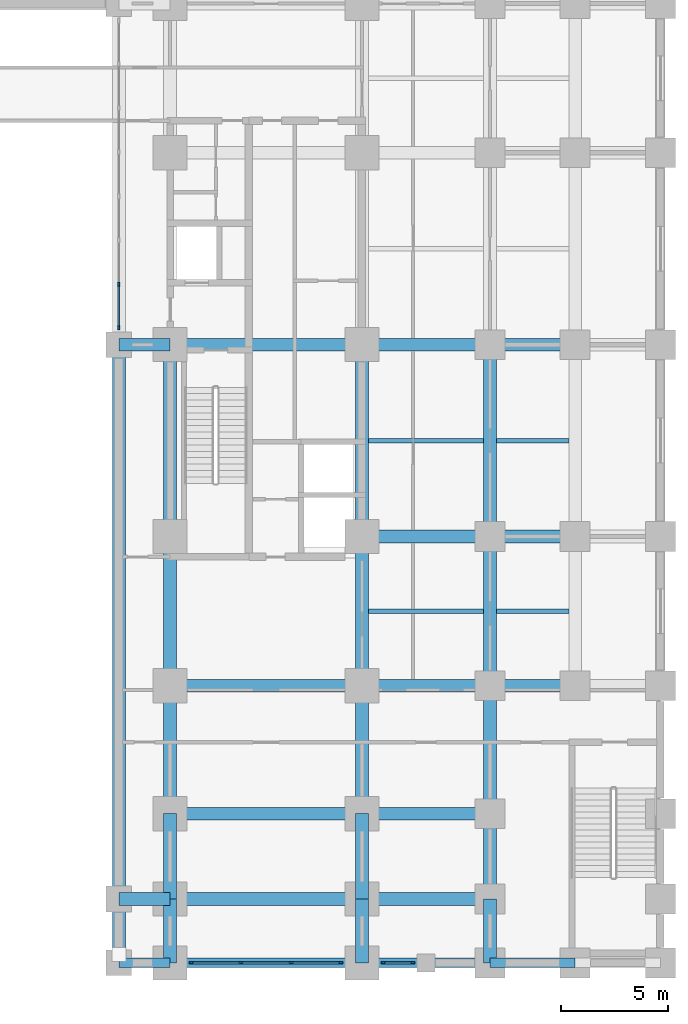
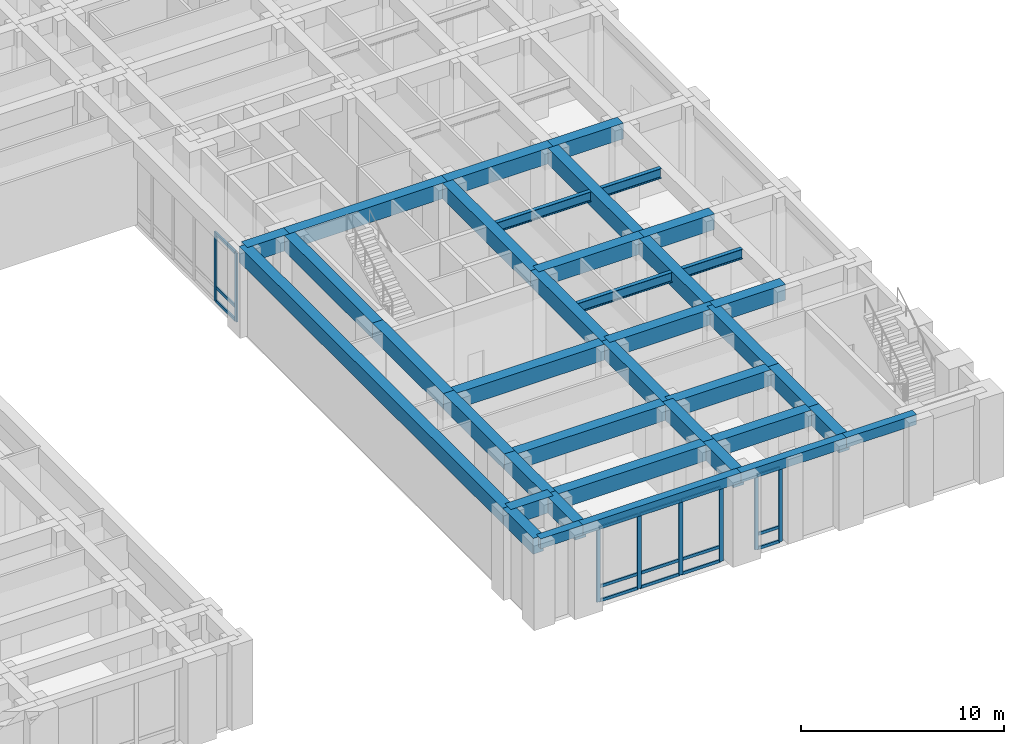
# One storey, part 3 of 21: 39 beams, 23 members, 3 elements without a shape of their own.
"""IFC4 building model written with IfcOpenShell, lengths in metres."""

from ifc_helpers import new_model, si_unit, direction, frame, origin, origin_2d, place, context, subcontext, project, spatial, rectangle, i_section, extrude, material, material_profile, profile_set, type_object, element, aggregate, save


model = new_model("IFC4")

# Units and contexts
model_context = context("Model", 3, precision=1e-05, world=origin(), true_north=direction((0.0, 1.0)))
body_context = subcontext(model_context, "Body", "Model", "MODEL_VIEW")
ifc_project = project(units=[si_unit("LENGTHUNIT", "METRE"), si_unit("AREAUNIT", "SQUARE_METRE"), si_unit("VOLUMEUNIT", "CUBIC_METRE"), si_unit("PLANEANGLEUNIT", "RADIAN"), si_unit("MASSUNIT", "GRAM", prefix="KILO")], contexts=[model_context])

# Site, building, storey
site_placement = place(None, origin())
site = spatial("IfcSite", under=ifc_project, at=site_placement, CompositionType="ELEMENT")
building_placement = place(site_placement, origin())
building = spatial("IfcBuilding", under=site, at=building_placement, Name="Zulmaris Gate Convention Tower", CompositionType="ELEMENT")
storey_placement = place(building_placement, frame((0.0, 0.0, 5.43994140625)))
storey = spatial("IfcBuildingStorey", under=building, at=storey_placement, Name="L01", CompositionType="ELEMENT", Elevation=5.43994140625)

# Beams
ifc_material_1 = material(Name="Concrete C60/75", Category="concrete")
ifc_material_profile_1 = material_profile(ifc_material_1, rectangle(XDim=0.60009765625, YDim=0.949951171875, at=origin_2d()), Name="RC BEAM 600x950")
ifc_profile_set_1 = profile_set([ifc_material_profile_1], Name="Concrete C60/75")
beam_type_1 = type_object("IfcBeamType", Name="BM-RC600x950", PredefinedType="BEAM", material=ifc_profile_set_1)
beam_1_placement = place(storey_placement, frame((8.60009765625, -26.0, 4.614990234375), z_axis=(1.0, 0.0, 0.0), x_axis=(0.0, 1.0, 0.0)))
element("IfcBeam", 1, at=beam_1_placement, inside=storey, type_object=beam_type_1, Name="L01 Beam BM-L01-X--26.0-+8.6", PredefinedType="BEAM", context=body_context, shape_type="SweptSolid", body=[
    extrude(rectangle(XDim=0.60009765625, YDim=0.949951171875, at=origin_2d()), origin(), (0.0, 0.0, 1.0), 2.39990234375),
])
beam_2_placement = place(storey_placement, frame((11.0, -26.0, 4.614990234375), z_axis=(1.0, 0.0, 0.0), x_axis=(0.0, 1.0, 0.0)))
element("IfcBeam", 2, at=beam_2_placement, inside=storey, type_object=beam_type_1, Name="L01 Beam BM-L01-X--26.0-+11.0", PredefinedType="BEAM", context=body_context, shape_type="SweptSolid", body=[
    extrude(rectangle(XDim=0.60009765625, YDim=0.949951171875, at=origin_2d()), origin(), (0.0, 0.0, 1.0), 9.0),
])
beam_3_placement = place(storey_placement, frame((20.0, -26.0, 4.614990234375), z_axis=(1.0, 0.0, 0.0), x_axis=(0.0, 1.0, 0.0)))
element("IfcBeam", 3, at=beam_3_placement, inside=storey, type_object=beam_type_1, Name="L01 Beam BM-L01-X--26.0-+20.0", PredefinedType="BEAM", context=body_context, shape_type="SweptSolid", body=[
    extrude(rectangle(XDim=0.60009765625, YDim=0.949951171875, at=origin_2d()), origin(), (0.0, 0.0, 1.0), 6.0),
])
beam_4_placement = place(storey_placement, frame((11.0, -22.0, 4.614990234375), z_axis=(1.0, 0.0, 0.0), x_axis=(0.0, 1.0, 0.0)))
element("IfcBeam", 4, at=beam_4_placement, inside=storey, type_object=beam_type_1, Name="L01 Beam BM-L01-X--22.0-+11.0", PredefinedType="BEAM", context=body_context, shape_type="SweptSolid", body=[
    extrude(rectangle(XDim=0.60009765625, YDim=0.949951171875, at=origin_2d()), origin(), (0.0, 0.0, 1.0), 9.0),
])
beam_5_placement = place(storey_placement, frame((20.0, -22.0, 4.614990234375), z_axis=(1.0, 0.0, 0.0), x_axis=(0.0, 1.0, 0.0)))
element("IfcBeam", 5, at=beam_5_placement, inside=storey, type_object=beam_type_1, Name="L01 Beam BM-L01-X--22.0-+20.0", PredefinedType="BEAM", context=body_context, shape_type="SweptSolid", body=[
    extrude(rectangle(XDim=0.60009765625, YDim=0.949951171875, at=origin_2d()), origin(), (0.0, 0.0, 1.0), 6.0),
])
beam_6_placement = place(storey_placement, frame((11.0, -16.0, 4.614990234375), z_axis=(1.0, 0.0, 0.0), x_axis=(0.0, 1.0, 0.0)))
element("IfcBeam", 6, at=beam_6_placement, inside=storey, type_object=beam_type_1, Name="L01 Beam BM-L01-X--16.0-+11.0", PredefinedType="BEAM", context=body_context, shape_type="SweptSolid", body=[
    extrude(rectangle(XDim=0.60009765625, YDim=0.949951171875, at=origin_2d()), origin(), (0.0, 0.0, 1.0), 9.0),
])
beam_7_placement = place(storey_placement, frame((20.0, -16.0, 4.614990234375), z_axis=(1.0, 0.0, 0.0), x_axis=(0.0, 1.0, 0.0)))
element("IfcBeam", 7, at=beam_7_placement, inside=storey, type_object=beam_type_1, Name="L01 Beam BM-L01-X--16.0-+20.0", PredefinedType="BEAM", context=body_context, shape_type="SweptSolid", body=[
    extrude(rectangle(XDim=0.60009765625, YDim=0.949951171875, at=origin_2d()), origin(), (0.0, 0.0, 1.0), 6.0),
])
beam_8_placement = place(storey_placement, frame((26.0, -16.0, 4.614990234375), z_axis=(1.0, 0.0, 0.0), x_axis=(0.0, 1.0, 0.0)))
element("IfcBeam", 8, at=beam_8_placement, inside=storey, type_object=beam_type_1, Name="L01 Beam BM-L01-X--16.0-+26.0", PredefinedType="BEAM", context=body_context, shape_type="SweptSolid", body=[
    extrude(rectangle(XDim=0.60009765625, YDim=0.949951171875, at=origin_2d()), origin(), (0.0, 0.0, 1.0), 4.0),
])
beam_9_placement = place(storey_placement, frame((20.0, -9.0, 4.614990234375), z_axis=(1.0, 0.0, 0.0), x_axis=(0.0, 1.0, 0.0)))
element("IfcBeam", 9, at=beam_9_placement, inside=storey, type_object=beam_type_1, Name="L01 Beam BM-L01-X--9.0-+20.0", PredefinedType="BEAM", context=body_context, shape_type="SweptSolid", body=[
    extrude(rectangle(XDim=0.60009765625, YDim=0.949951171875, at=origin_2d()), origin(), (0.0, 0.0, 1.0), 6.0),
])
beam_10_placement = place(storey_placement, frame((26.0, -9.0, 4.614990234375), z_axis=(1.0, 0.0, 0.0), x_axis=(0.0, 1.0, 0.0)))
element("IfcBeam", 10, at=beam_10_placement, inside=storey, type_object=beam_type_1, Name="L01 Beam BM-L01-X--9.0-+26.0", PredefinedType="BEAM", context=body_context, shape_type="SweptSolid", body=[
    extrude(rectangle(XDim=0.60009765625, YDim=0.949951171875, at=origin_2d()), origin(), (0.0, 0.0, 1.0), 4.0),
])
beam_11_placement = place(storey_placement, frame((8.60009765625, 0.0, 4.614990234375), z_axis=(1.0, 0.0, 0.0), x_axis=(0.0, 1.0, 0.0)))
element("IfcBeam", 11, at=beam_11_placement, inside=storey, type_object=beam_type_1, Name="L01 Beam BM-L01-X-+0.0-+8.6", PredefinedType="BEAM", context=body_context, shape_type="SweptSolid", body=[
    extrude(rectangle(XDim=0.60009765625, YDim=0.949951171875, at=origin_2d()), origin(), (0.0, 0.0, 1.0), 2.39990234375),
])
beam_12_placement = place(storey_placement, frame((11.0, 0.0, 4.614990234375), z_axis=(1.0, 0.0, 0.0), x_axis=(0.0, 1.0, 0.0)))
element("IfcBeam", 12, at=beam_12_placement, inside=storey, type_object=beam_type_1, Name="L01 Beam BM-L01-X-+0.0-+11.0", PredefinedType="BEAM", context=body_context, shape_type="SweptSolid", body=[
    extrude(rectangle(XDim=0.60009765625, YDim=0.949951171875, at=origin_2d()), origin(), (0.0, 0.0, 1.0), 9.0),
])
beam_13_placement = place(storey_placement, frame((20.0, 0.0, 4.614990234375), z_axis=(1.0, 0.0, 0.0), x_axis=(0.0, 1.0, 0.0)))
element("IfcBeam", 13, at=beam_13_placement, inside=storey, type_object=beam_type_1, Name="L01 Beam BM-L01-X-+0.0-+20.0", PredefinedType="BEAM", context=body_context, shape_type="SweptSolid", body=[
    extrude(rectangle(XDim=0.60009765625, YDim=0.949951171875, at=origin_2d()), origin(), (0.0, 0.0, 1.0), 6.0),
])
beam_14_placement = place(storey_placement, frame((26.0, 0.0, 4.614990234375), z_axis=(1.0, 0.0, 0.0), x_axis=(0.0, 1.0, 0.0)))
element("IfcBeam", 14, at=beam_14_placement, inside=storey, type_object=beam_type_1, Name="L01 Beam BM-L01-X-+0.0-+26.0", PredefinedType="BEAM", context=body_context, shape_type="SweptSolid", body=[
    extrude(rectangle(XDim=0.60009765625, YDim=0.949951171875, at=origin_2d()), origin(), (0.0, 0.0, 1.0), 4.0),
])
beam_15_placement = place(storey_placement, frame((8.60009765625, -29.0, 4.614990234375), z_axis=(0.0, 1.0, 0.0), x_axis=(-1.0, 0.0, 0.0)))
element("IfcBeam", 15, at=beam_15_placement, inside=storey, type_object=beam_type_1, Name="L01 Beam BM-L01-Y-+8.6--29.0", PredefinedType="BEAM", context=body_context, shape_type="SweptSolid", body=[
    extrude(rectangle(XDim=0.60009765625, YDim=0.949951171875, at=origin_2d()), origin(), (0.0, 0.0, 1.0), 3.0),
])
beam_16_placement = place(storey_placement, frame((8.60009765625, -26.0, 4.614990234375), z_axis=(0.0, 1.0, 0.0), x_axis=(-1.0, 0.0, 0.0)))
element("IfcBeam", 16, at=beam_16_placement, inside=storey, type_object=beam_type_1, Name="L01 Beam BM-L01-Y-+8.6--26.0", PredefinedType="BEAM", context=body_context, shape_type="SweptSolid", body=[
    extrude(rectangle(XDim=0.60009765625, YDim=0.949951171875, at=origin_2d()), origin(), (0.0, 0.0, 1.0), 26.0),
])
beam_17_placement = place(storey_placement, frame((11.0, -29.0, 4.614990234375), z_axis=(0.0, 1.0, 0.0), x_axis=(-1.0, 0.0, 0.0)))
element("IfcBeam", 17, at=beam_17_placement, inside=storey, type_object=beam_type_1, Name="L01 Beam BM-L01-Y-+11.0--29.0", PredefinedType="BEAM", context=body_context, shape_type="SweptSolid", body=[
    extrude(rectangle(XDim=0.60009765625, YDim=0.949951171875, at=origin_2d()), origin(), (0.0, 0.0, 1.0), 3.0),
])
beam_18_placement = place(storey_placement, frame((11.0, -26.0, 4.614990234375), z_axis=(0.0, 1.0, 0.0), x_axis=(-1.0, 0.0, 0.0)))
element("IfcBeam", 18, at=beam_18_placement, inside=storey, type_object=beam_type_1, Name="L01 Beam BM-L01-Y-+11.0--26.0", PredefinedType="BEAM", context=body_context, shape_type="SweptSolid", body=[
    extrude(rectangle(XDim=0.60009765625, YDim=0.949951171875, at=origin_2d()), origin(), (0.0, 0.0, 1.0), 4.0),
])
beam_19_placement = place(storey_placement, frame((11.0, -22.0, 4.614990234375), z_axis=(0.0, 1.0, 0.0), x_axis=(-1.0, 0.0, 0.0)))
element("IfcBeam", 19, at=beam_19_placement, inside=storey, type_object=beam_type_1, Name="L01 Beam BM-L01-Y-+11.0--22.0", PredefinedType="BEAM", context=body_context, shape_type="SweptSolid", body=[
    extrude(rectangle(XDim=0.60009765625, YDim=0.949951171875, at=origin_2d()), origin(), (0.0, 0.0, 1.0), 6.0),
])
beam_20_placement = place(storey_placement, frame((11.0, -16.0, 4.614990234375), z_axis=(0.0, 1.0, 0.0), x_axis=(-1.0, 0.0, 0.0)))
element("IfcBeam", 20, at=beam_20_placement, inside=storey, type_object=beam_type_1, Name="L01 Beam BM-L01-Y-+11.0--16.0", PredefinedType="BEAM", context=body_context, shape_type="SweptSolid", body=[
    extrude(rectangle(XDim=0.60009765625, YDim=0.949951171875, at=origin_2d()), origin(), (0.0, 0.0, 1.0), 7.0),
])
beam_21_placement = place(storey_placement, frame((11.0, -9.0, 4.614990234375), z_axis=(0.0, 1.0, 0.0), x_axis=(-1.0, 0.0, 0.0)))
element("IfcBeam", 21, at=beam_21_placement, inside=storey, type_object=beam_type_1, Name="L01 Beam BM-L01-Y-+11.0--9.0", PredefinedType="BEAM", context=body_context, shape_type="SweptSolid", body=[
    extrude(rectangle(XDim=0.60009765625, YDim=0.949951171875, at=origin_2d()), origin(), (0.0, 0.0, 1.0), 9.0),
])
beam_22_placement = place(storey_placement, frame((20.0, -29.0, 4.614990234375), z_axis=(0.0, 1.0, 0.0), x_axis=(-1.0, 0.0, 0.0)))
element("IfcBeam", 22, at=beam_22_placement, inside=storey, type_object=beam_type_1, Name="L01 Beam BM-L01-Y-+20.0--29.0", PredefinedType="BEAM", context=body_context, shape_type="SweptSolid", body=[
    extrude(rectangle(XDim=0.60009765625, YDim=0.949951171875, at=origin_2d()), origin(), (0.0, 0.0, 1.0), 3.0),
])
beam_23_placement = place(storey_placement, frame((20.0, -26.0, 4.614990234375), z_axis=(0.0, 1.0, 0.0), x_axis=(-1.0, 0.0, 0.0)))
element("IfcBeam", 23, at=beam_23_placement, inside=storey, type_object=beam_type_1, Name="L01 Beam BM-L01-Y-+20.0--26.0", PredefinedType="BEAM", context=body_context, shape_type="SweptSolid", body=[
    extrude(rectangle(XDim=0.60009765625, YDim=0.949951171875, at=origin_2d()), origin(), (0.0, 0.0, 1.0), 4.0),
])
beam_24_placement = place(storey_placement, frame((20.0, -22.0, 4.614990234375), z_axis=(0.0, 1.0, 0.0), x_axis=(-1.0, 0.0, 0.0)))
element("IfcBeam", 24, at=beam_24_placement, inside=storey, type_object=beam_type_1, Name="L01 Beam BM-L01-Y-+20.0--22.0", PredefinedType="BEAM", context=body_context, shape_type="SweptSolid", body=[
    extrude(rectangle(XDim=0.60009765625, YDim=0.949951171875, at=origin_2d()), origin(), (0.0, 0.0, 1.0), 6.0),
])
beam_25_placement = place(storey_placement, frame((20.0, -16.0, 4.614990234375), z_axis=(0.0, 1.0, 0.0), x_axis=(-1.0, 0.0, 0.0)))
element("IfcBeam", 25, at=beam_25_placement, inside=storey, type_object=beam_type_1, Name="L01 Beam BM-L01-Y-+20.0--16.0", PredefinedType="BEAM", context=body_context, shape_type="SweptSolid", body=[
    extrude(rectangle(XDim=0.60009765625, YDim=0.949951171875, at=origin_2d()), origin(), (0.0, 0.0, 1.0), 7.0),
])
beam_26_placement = place(storey_placement, frame((20.0, -9.0, 4.614990234375), z_axis=(0.0, 1.0, 0.0), x_axis=(-1.0, 0.0, 0.0)))
element("IfcBeam", 26, at=beam_26_placement, inside=storey, type_object=beam_type_1, Name="L01 Beam BM-L01-Y-+20.0--9.0", PredefinedType="BEAM", context=body_context, shape_type="SweptSolid", body=[
    extrude(rectangle(XDim=0.60009765625, YDim=0.949951171875, at=origin_2d()), origin(), (0.0, 0.0, 1.0), 9.0),
])
beam_27_placement = place(storey_placement, frame((26.0, -29.0, 4.614990234375), z_axis=(0.0, 1.0, 0.0), x_axis=(-1.0, 0.0, 0.0)))
element("IfcBeam", 27, at=beam_27_placement, inside=storey, type_object=beam_type_1, Name="L01 Beam BM-L01-Y-+26.0--29.0", PredefinedType="BEAM", context=body_context, shape_type="SweptSolid", body=[
    extrude(rectangle(XDim=0.60009765625, YDim=0.949951171875, at=origin_2d()), origin(), (0.0, 0.0, 1.0), 3.0),
])
beam_28_placement = place(storey_placement, frame((26.0, -26.0, 4.614990234375), z_axis=(0.0, 1.0, 0.0), x_axis=(-1.0, 0.0, 0.0)))
element("IfcBeam", 28, at=beam_28_placement, inside=storey, type_object=beam_type_1, Name="L01 Beam BM-L01-Y-+26.0--26.0", PredefinedType="BEAM", context=body_context, shape_type="SweptSolid", body=[
    extrude(rectangle(XDim=0.60009765625, YDim=0.949951171875, at=origin_2d()), origin(), (0.0, 0.0, 1.0), 4.0),
])
beam_29_placement = place(storey_placement, frame((26.0, -22.0, 4.614990234375), z_axis=(0.0, 1.0, 0.0), x_axis=(-1.0, 0.0, 0.0)))
element("IfcBeam", 29, at=beam_29_placement, inside=storey, type_object=beam_type_1, Name="L01 Beam BM-L01-Y-+26.0--22.0", PredefinedType="BEAM", context=body_context, shape_type="SweptSolid", body=[
    extrude(rectangle(XDim=0.60009765625, YDim=0.949951171875, at=origin_2d()), origin(), (0.0, 0.0, 1.0), 6.0),
])
beam_30_placement = place(storey_placement, frame((26.0, -16.0, 4.614990234375), z_axis=(0.0, 1.0, 0.0), x_axis=(-1.0, 0.0, 0.0)))
element("IfcBeam", 30, at=beam_30_placement, inside=storey, type_object=beam_type_1, Name="L01 Beam BM-L01-Y-+26.0--16.0", PredefinedType="BEAM", context=body_context, shape_type="SweptSolid", body=[
    extrude(rectangle(XDim=0.60009765625, YDim=0.949951171875, at=origin_2d()), origin(), (0.0, 0.0, 1.0), 7.0),
])
beam_31_placement = place(storey_placement, frame((26.0, -9.0, 4.614990234375), z_axis=(0.0, 1.0, 0.0), x_axis=(-1.0, 0.0, 0.0)))
element("IfcBeam", 31, at=beam_31_placement, inside=storey, type_object=beam_type_1, Name="L01 Beam BM-L01-Y-+26.0--9.0", PredefinedType="BEAM", context=body_context, shape_type="SweptSolid", body=[
    extrude(rectangle(XDim=0.60009765625, YDim=0.949951171875, at=origin_2d()), origin(), (0.0, 0.0, 1.0), 9.0),
])
ifc_material_2 = material(Name="Precast concrete C50/60", Category="concrete")
ifc_material_profile_2 = material_profile(ifc_material_2, rectangle(XDim=0.449951171875, YDim=0.60009765625, at=origin_2d()), Name="RC SPANDREL 450x600")
ifc_profile_set_2 = profile_set([ifc_material_profile_2], Name="Precast concrete C50/60")
beam_type_2 = type_object("IfcBeamType", Name="BM-SP450x600", PredefinedType="SPANDREL", material=ifc_profile_set_2)
beam_32_placement = place(storey_placement, frame((8.60009765625, -29.0, 4.7900390625), z_axis=(1.0, 0.0, 0.0), x_axis=(0.0, 1.0, 0.0)))
element("IfcBeam", 32, at=beam_32_placement, inside=storey, type_object=beam_type_2, Name="L01 Spandrel BM-L01-X--29.0-+8.6", PredefinedType="SPANDREL", context=body_context, shape_type="SweptSolid", body=[
    extrude(rectangle(XDim=0.449951171875, YDim=0.60009765625, at=origin_2d()), origin(), (0.0, 0.0, 1.0), 2.39990234375),
])
beam_33_placement = place(storey_placement, frame((11.0, -29.0, 4.7900390625), z_axis=(1.0, 0.0, 0.0), x_axis=(0.0, 1.0, 0.0)))
element("IfcBeam", 33, at=beam_33_placement, inside=storey, type_object=beam_type_2, Name="L01 Spandrel BM-L01-X--29.0-+11.0", PredefinedType="SPANDREL", context=body_context, shape_type="SweptSolid", body=[
    extrude(rectangle(XDim=0.449951171875, YDim=0.60009765625, at=origin_2d()), origin(), (0.0, 0.0, 1.0), 9.0),
])
beam_34_placement = place(storey_placement, frame((20.0, -29.0, 4.7900390625), z_axis=(1.0, 0.0, 0.0), x_axis=(0.0, 1.0, 0.0)))
element("IfcBeam", 34, at=beam_34_placement, inside=storey, type_object=beam_type_2, Name="L01 Spandrel BM-L01-X--29.0-+20.0", PredefinedType="SPANDREL", context=body_context, shape_type="SweptSolid", body=[
    extrude(rectangle(XDim=0.449951171875, YDim=0.60009765625, at=origin_2d()), origin(), (0.0, 0.0, 1.0), 6.0),
])
beam_35_placement = place(storey_placement, frame((26.0, -29.0, 4.7900390625), z_axis=(1.0, 0.0, 0.0), x_axis=(0.0, 1.0, 0.0)))
element("IfcBeam", 35, at=beam_35_placement, inside=storey, type_object=beam_type_2, Name="L01 Spandrel BM-L01-X--29.0-+26.0", PredefinedType="SPANDREL", context=body_context, shape_type="SweptSolid", body=[
    extrude(rectangle(XDim=0.449951171875, YDim=0.60009765625, at=origin_2d()), origin(), (0.0, 0.0, 1.0), 4.0),
])

# Curtain wall, members
ifc_material_3 = material(Name="Anodised Aluminium", Category="aluminium")
curtain_wall_type_1 = type_object("IfcCurtainWallType", Name="CW-01", PredefinedType="NOTDEFINED", material=ifc_material_3)
curtain_wall_1_placement = place(storey_placement, origin())
curtain_wall_1 = element("IfcCurtainWall", 36, at=curtain_wall_1_placement, inside=storey, type_object=curtain_wall_type_1, Name="CW-01 CW01-L01-S11_0", PredefinedType="NOTDEFINED")
ifc_material_profile_3 = material_profile(ifc_material_3, rectangle(XDim=0.090087890625, YDim=0.219970703125, at=origin_2d()), Name="ALU MULLION 90x220")
ifc_profile_set_3 = profile_set([ifc_material_profile_3], Name="Anodised Aluminium")
member_type_1 = type_object("IfcMemberType", Name="CW-01-MULL", PredefinedType="MULLION", material=ifc_profile_set_3)
member_1_placement = place(storey_placement, frame((12.0048828125, -29.0, 0.0), z_axis=(0.0, 0.0, 1.0), x_axis=(0.0, 1.0, 0.0)))
member_1 = element("IfcMember", 37, at=member_1_placement, type_object=member_type_1, Name="CW-01 mullion 1", PredefinedType="MULLION", context=body_context, shape_type="SweptSolid", body=[
    extrude(rectangle(XDim=0.090087890625, YDim=0.219970703125, at=origin_2d()), origin(), (0.0, 0.0, 1.0), 4.48193359375),
])
member_2_placement = place(storey_placement, frame((14.320068359375, -29.0, 0.0), z_axis=(0.0, 0.0, 1.0), x_axis=(0.0, 1.0, 0.0)))
member_2 = element("IfcMember", 38, at=member_2_placement, type_object=member_type_1, Name="CW-01 mullion 2", PredefinedType="MULLION", context=body_context, shape_type="SweptSolid", body=[
    extrude(rectangle(XDim=0.090087890625, YDim=0.219970703125, at=origin_2d()), origin(), (0.0, 0.0, 1.0), 4.48193359375),
])
member_3_placement = place(storey_placement, frame((16.679931640625, -29.0, 0.0), z_axis=(0.0, 0.0, 1.0), x_axis=(0.0, 1.0, 0.0)))
member_3 = element("IfcMember", 39, at=member_3_placement, type_object=member_type_1, Name="CW-01 mullion 3", PredefinedType="MULLION", context=body_context, shape_type="SweptSolid", body=[
    extrude(rectangle(XDim=0.090087890625, YDim=0.219970703125, at=origin_2d()), origin(), (0.0, 0.0, 1.0), 4.48193359375),
])
member_4_placement = place(storey_placement, frame((18.9951171875, -29.0, 0.0), z_axis=(0.0, 0.0, 1.0), x_axis=(0.0, 1.0, 0.0)))
member_4 = element("IfcMember", 40, at=member_4_placement, type_object=member_type_1, Name="CW-01 mullion 4", PredefinedType="MULLION", context=body_context, shape_type="SweptSolid", body=[
    extrude(rectangle(XDim=0.090087890625, YDim=0.219970703125, at=origin_2d()), origin(), (0.0, 0.0, 1.0), 4.48193359375),
])

curtain_wall_2_placement = place(storey_placement, origin())
curtain_wall_2 = element("IfcCurtainWall", 41, at=curtain_wall_2_placement, inside=storey, type_object=curtain_wall_type_1, Name="CW-01 CW01-L01-S20_0", PredefinedType="NOTDEFINED")
member_5_placement = place(storey_placement, frame((21.0048828125, -29.0, 0.0), z_axis=(0.0, 0.0, 1.0), x_axis=(0.0, 1.0, 0.0)))
member_5 = element("IfcMember", 42, at=member_5_placement, type_object=member_type_1, Name="CW-01 mullion 1", PredefinedType="MULLION", context=body_context, shape_type="SweptSolid", body=[
    extrude(rectangle(XDim=0.090087890625, YDim=0.219970703125, at=origin_2d()), origin(), (0.0, 0.0, 1.0), 4.48193359375),
])
member_6_placement = place(storey_placement, frame((22.3701171875, -29.0, 0.0), z_axis=(0.0, 0.0, 1.0), x_axis=(0.0, 1.0, 0.0)))
member_6 = element("IfcMember", 43, at=member_6_placement, type_object=member_type_1, Name="CW-01 mullion 2", PredefinedType="MULLION", context=body_context, shape_type="SweptSolid", body=[
    extrude(rectangle(XDim=0.090087890625, YDim=0.219970703125, at=origin_2d()), origin(), (0.0, 0.0, 1.0), 4.48193359375),
])

# Member
ifc_material_profile_4 = material_profile(ifc_material_3, rectangle(XDim=0.090087890625, YDim=0.179931640625, at=origin_2d()), Name="ALU TRANSOM 90x180")
ifc_profile_set_4 = profile_set([ifc_material_profile_4], Name="Anodised Aluminium")
member_type_2 = type_object("IfcMemberType", Name="CW-01-TRAN", PredefinedType="USERDEFINED", material=ifc_profile_set_4)
member_7_placement = place(storey_placement, frame((12.050048828125, -29.0, 0.044921875), z_axis=(1.0, 0.0, 0.0), x_axis=(0.0, 1.0, 0.0)))
member_7 = element("IfcMember", 44, at=member_7_placement, type_object=member_type_2, Name="CW-01 transom 1.1", ObjectType="TRANSOM", PredefinedType="USERDEFINED", context=body_context, shape_type="SweptSolid", body=[
    extrude(rectangle(XDim=0.090087890625, YDim=0.179931640625, at=origin_2d()), origin(), (0.0, 0.0, 1.0), 2.224853515625),
])

member_8_placement = place(storey_placement, frame((12.050048828125, -29.0, 0.89990234375), z_axis=(1.0, 0.0, 0.0), x_axis=(0.0, 1.0, 0.0)))
member_8 = element("IfcMember", 45, at=member_8_placement, type_object=member_type_2, Name="CW-01 transom 1.2", ObjectType="TRANSOM", PredefinedType="USERDEFINED", context=body_context, shape_type="SweptSolid", body=[
    extrude(rectangle(XDim=0.090087890625, YDim=0.179931640625, at=origin_2d()), origin(), (0.0, 0.0, 1.0), 2.224853515625),
])

member_9_placement = place(storey_placement, frame((12.050048828125, -29.0, 4.43701171875), z_axis=(1.0, 0.0, 0.0), x_axis=(0.0, 1.0, 0.0)))
member_9 = element("IfcMember", 46, at=member_9_placement, type_object=member_type_2, Name="CW-01 transom 1.3", ObjectType="TRANSOM", PredefinedType="USERDEFINED", context=body_context, shape_type="SweptSolid", body=[
    extrude(rectangle(XDim=0.090087890625, YDim=0.179931640625, at=origin_2d()), origin(), (0.0, 0.0, 1.0), 2.224853515625),
])

member_10_placement = place(storey_placement, frame((14.364990234375, -29.0, 0.044921875), z_axis=(1.0, 0.0, 0.0), x_axis=(0.0, 1.0, 0.0)))
member_10 = element("IfcMember", 47, at=member_10_placement, type_object=member_type_2, Name="CW-01 transom 2.1", ObjectType="TRANSOM", PredefinedType="USERDEFINED", context=body_context, shape_type="SweptSolid", body=[
    extrude(rectangle(XDim=0.090087890625, YDim=0.179931640625, at=origin_2d()), origin(), (0.0, 0.0, 1.0), 2.27001953125),
])

member_11_placement = place(storey_placement, frame((14.364990234375, -29.0, 0.89990234375), z_axis=(1.0, 0.0, 0.0), x_axis=(0.0, 1.0, 0.0)))
member_11 = element("IfcMember", 48, at=member_11_placement, type_object=member_type_2, Name="CW-01 transom 2.2", ObjectType="TRANSOM", PredefinedType="USERDEFINED", context=body_context, shape_type="SweptSolid", body=[
    extrude(rectangle(XDim=0.090087890625, YDim=0.179931640625, at=origin_2d()), origin(), (0.0, 0.0, 1.0), 2.27001953125),
])

member_12_placement = place(storey_placement, frame((14.364990234375, -29.0, 4.43701171875), z_axis=(1.0, 0.0, 0.0), x_axis=(0.0, 1.0, 0.0)))
member_12 = element("IfcMember", 49, at=member_12_placement, type_object=member_type_2, Name="CW-01 transom 2.3", ObjectType="TRANSOM", PredefinedType="USERDEFINED", context=body_context, shape_type="SweptSolid", body=[
    extrude(rectangle(XDim=0.090087890625, YDim=0.179931640625, at=origin_2d()), origin(), (0.0, 0.0, 1.0), 2.27001953125),
])

member_13_placement = place(storey_placement, frame((16.72509765625, -29.0, 0.044921875), z_axis=(1.0, 0.0, 0.0), x_axis=(0.0, 1.0, 0.0)))
member_13 = element("IfcMember", 50, at=member_13_placement, type_object=member_type_2, Name="CW-01 transom 3.1", ObjectType="TRANSOM", PredefinedType="USERDEFINED", context=body_context, shape_type="SweptSolid", body=[
    extrude(rectangle(XDim=0.090087890625, YDim=0.179931640625, at=origin_2d()), origin(), (0.0, 0.0, 1.0), 2.224853515625),
])

member_14_placement = place(storey_placement, frame((16.72509765625, -29.0, 0.89990234375), z_axis=(1.0, 0.0, 0.0), x_axis=(0.0, 1.0, 0.0)))
member_14 = element("IfcMember", 51, at=member_14_placement, type_object=member_type_2, Name="CW-01 transom 3.2", ObjectType="TRANSOM", PredefinedType="USERDEFINED", context=body_context, shape_type="SweptSolid", body=[
    extrude(rectangle(XDim=0.090087890625, YDim=0.179931640625, at=origin_2d()), origin(), (0.0, 0.0, 1.0), 2.224853515625),
])

member_15_placement = place(storey_placement, frame((16.72509765625, -29.0, 4.43701171875), z_axis=(1.0, 0.0, 0.0), x_axis=(0.0, 1.0, 0.0)))
member_15 = element("IfcMember", 52, at=member_15_placement, type_object=member_type_2, Name="CW-01 transom 3.3", ObjectType="TRANSOM", PredefinedType="USERDEFINED", context=body_context, shape_type="SweptSolid", body=[
    extrude(rectangle(XDim=0.090087890625, YDim=0.179931640625, at=origin_2d()), origin(), (0.0, 0.0, 1.0), 2.224853515625),
])

aggregate(curtain_wall_1, [member_1, member_2, member_3, member_4, member_7, member_8, member_9, member_10, member_11, member_12, member_13, member_14, member_15])

member_16_placement = place(storey_placement, frame((21.050048828125, -29.0, 0.044921875), z_axis=(1.0, 0.0, 0.0), x_axis=(0.0, 1.0, 0.0)))
member_16 = element("IfcMember", 53, at=member_16_placement, type_object=member_type_2, Name="CW-01 transom 1.1", ObjectType="TRANSOM", PredefinedType="USERDEFINED", context=body_context, shape_type="SweptSolid", body=[
    extrude(rectangle(XDim=0.090087890625, YDim=0.179931640625, at=origin_2d()), origin(), (0.0, 0.0, 1.0), 1.27490234375),
])

member_17_placement = place(storey_placement, frame((21.050048828125, -29.0, 0.89990234375), z_axis=(1.0, 0.0, 0.0), x_axis=(0.0, 1.0, 0.0)))
member_17 = element("IfcMember", 54, at=member_17_placement, type_object=member_type_2, Name="CW-01 transom 1.2", ObjectType="TRANSOM", PredefinedType="USERDEFINED", context=body_context, shape_type="SweptSolid", body=[
    extrude(rectangle(XDim=0.090087890625, YDim=0.179931640625, at=origin_2d()), origin(), (0.0, 0.0, 1.0), 1.27490234375),
])

member_18_placement = place(storey_placement, frame((21.050048828125, -29.0, 4.43701171875), z_axis=(1.0, 0.0, 0.0), x_axis=(0.0, 1.0, 0.0)))
member_18 = element("IfcMember", 55, at=member_18_placement, type_object=member_type_2, Name="CW-01 transom 1.3", ObjectType="TRANSOM", PredefinedType="USERDEFINED", context=body_context, shape_type="SweptSolid", body=[
    extrude(rectangle(XDim=0.090087890625, YDim=0.179931640625, at=origin_2d()), origin(), (0.0, 0.0, 1.0), 1.27490234375),
])

aggregate(curtain_wall_2, [member_5, member_6, member_16, member_17, member_18])

# Curtain wall, members
curtain_wall_type_2 = type_object("IfcCurtainWallType", Name="CW-02", PredefinedType="NOTDEFINED", material=ifc_material_3)
curtain_wall_3_placement = place(storey_placement, origin())
curtain_wall_3 = element("IfcCurtainWall", 56, at=curtain_wall_3_placement, inside=storey, type_object=curtain_wall_type_2, Name="CW-02 CW02-L01-EL_0", PredefinedType="NOTDEFINED")
ifc_material_profile_5 = material_profile(ifc_material_3, rectangle(XDim=0.090087890625, YDim=0.219970703125, at=origin_2d()), Name="ALU MULLION 90x220")
ifc_profile_set_5 = profile_set([ifc_material_profile_5], Name="Anodised Aluminium")
member_type_3 = type_object("IfcMemberType", Name="CW-02-MULL", PredefinedType="MULLION", material=ifc_profile_set_5)
member_19_placement = place(storey_placement, frame((8.60009765625, 2.82861328125, 0.0), z_axis=(0.0, 0.0, 1.0), x_axis=(1.0, 0.0, 0.0)))
member_19 = element("IfcMember", 57, at=member_19_placement, type_object=member_type_3, Name="CW-02 mullion 7", PredefinedType="MULLION", context=body_context, shape_type="SweptSolid", body=[
    extrude(rectangle(XDim=0.090087890625, YDim=0.219970703125, at=origin_2d()), origin(), (0.0, 0.0, 1.0), 4.132080078125),
])
member_20_placement = place(storey_placement, frame((8.60009765625, 0.804931640625, 0.0), z_axis=(0.0, 0.0, 1.0), x_axis=(1.0, 0.0, 0.0)))
member_20 = element("IfcMember", 58, at=member_20_placement, type_object=member_type_3, Name="CW-02 mullion 8", PredefinedType="MULLION", context=body_context, shape_type="SweptSolid", body=[
    extrude(rectangle(XDim=0.090087890625, YDim=0.219970703125, at=origin_2d()), origin(), (0.0, 0.0, 1.0), 4.132080078125),
])
ifc_material_profile_6 = material_profile(ifc_material_3, rectangle(XDim=0.090087890625, YDim=0.179931640625, at=origin_2d()), Name="ALU TRANSOM 90x180")
ifc_profile_set_6 = profile_set([ifc_material_profile_6], Name="Anodised Aluminium")
member_type_4 = type_object("IfcMemberType", Name="CW-02-TRAN", PredefinedType="USERDEFINED", material=ifc_profile_set_6)
member_21_placement = place(storey_placement, frame((8.60009765625, 2.78369140625, 0.044921875), z_axis=(0.0, -1.0, 0.0), x_axis=(1.0, 0.0, 0.0)))
member_21 = element("IfcMember", 59, at=member_21_placement, type_object=member_type_4, Name="CW-02 transom 7.1", ObjectType="TRANSOM", PredefinedType="USERDEFINED", context=body_context, shape_type="SweptSolid", body=[
    extrude(rectangle(XDim=0.090087890625, YDim=0.179931640625, at=origin_2d()), origin(), (0.0, 0.0, 1.0), 1.93359375),
])
member_22_placement = place(storey_placement, frame((8.60009765625, 2.78369140625, 0.849853515625), z_axis=(0.0, -1.0, 0.0), x_axis=(1.0, 0.0, 0.0)))
member_22 = element("IfcMember", 60, at=member_22_placement, type_object=member_type_4, Name="CW-02 transom 7.2", ObjectType="TRANSOM", PredefinedType="USERDEFINED", context=body_context, shape_type="SweptSolid", body=[
    extrude(rectangle(XDim=0.090087890625, YDim=0.179931640625, at=origin_2d()), origin(), (0.0, 0.0, 1.0), 1.93359375),
])
member_23_placement = place(storey_placement, frame((8.60009765625, 2.78369140625, 4.0869140625), z_axis=(0.0, -1.0, 0.0), x_axis=(1.0, 0.0, 0.0)))
member_23 = element("IfcMember", 61, at=member_23_placement, type_object=member_type_4, Name="CW-02 transom 7.3", ObjectType="TRANSOM", PredefinedType="USERDEFINED", context=body_context, shape_type="SweptSolid", body=[
    extrude(rectangle(XDim=0.090087890625, YDim=0.179931640625, at=origin_2d()), origin(), (0.0, 0.0, 1.0), 1.93359375),
])
aggregate(curtain_wall_3, [member_19, member_20, member_21, member_22, member_23])

# Beams
ifc_material_4 = material(Name="Steel S355", Category="steel")
ifc_material_profile_7 = material_profile(ifc_material_4, i_section(OverallWidth=0.219970703125, OverallDepth=0.60009765625, WebThickness=0.011962890625, FlangeThickness=0.01904296875, FilletRadius=0.02392578125, at=origin_2d()), Name="IPE 600")
ifc_profile_set_7 = profile_set([ifc_material_profile_7], Name="Steel S355")
beam_type_3 = type_object("IfcBeamType", Name="JT-IPE600", PredefinedType="JOIST", material=ifc_profile_set_7)
for number, where, z_axis, x_axis, name in (
    (62, (20.300048828125, -12.5, 4.787841796875), (1.0, 0.0, 0.0), (0.0, 1.0, 0.0), "L01 Joist JT-L01-+20_+26--12.5"),
    (63, (20.300048828125, -4.5, 4.787841796875), (1.0, 0.0, 0.0), (0.0, 1.0, 0.0), "L01 Joist JT-L01-+20_+26--4.5"),
):
    element("IfcBeam", number, at=place(storey_placement, frame(where, z_axis=z_axis, x_axis=x_axis)), inside=storey, type_object=beam_type_3, Name=name, PredefinedType="JOIST", context=body_context, shape_type="SweptSolid", body=[
        extrude(i_section(OverallWidth=0.219970703125, OverallDepth=0.60009765625, WebThickness=0.011962890625, FlangeThickness=0.01904296875, FilletRadius=0.02392578125, at=origin_2d()), origin(), (0.0, 0.0, 1.0), 5.39990234375),
    ])
for number, where, z_axis, x_axis, name in (
    (64, (26.300048828125, -12.5, 4.787841796875), (1.0, 0.0, 0.0), (0.0, 1.0, 0.0), "L01 Joist JT-L01-+26_+30--12.5"),
    (65, (26.300048828125, -4.5, 4.787841796875), (1.0, 0.0, 0.0), (0.0, 1.0, 0.0), "L01 Joist JT-L01-+26_+30--4.5"),
):
    element("IfcBeam", number, at=place(storey_placement, frame(where, z_axis=z_axis, x_axis=x_axis)), inside=storey, type_object=beam_type_3, Name=name, PredefinedType="JOIST", context=body_context, shape_type="SweptSolid", body=[
        extrude(i_section(OverallWidth=0.219970703125, OverallDepth=0.60009765625, WebThickness=0.011962890625, FlangeThickness=0.01904296875, FilletRadius=0.02392578125, at=origin_2d()), origin(), (0.0, 0.0, 1.0), 3.39990234375),
    ])

save(model, "model.ifc")
